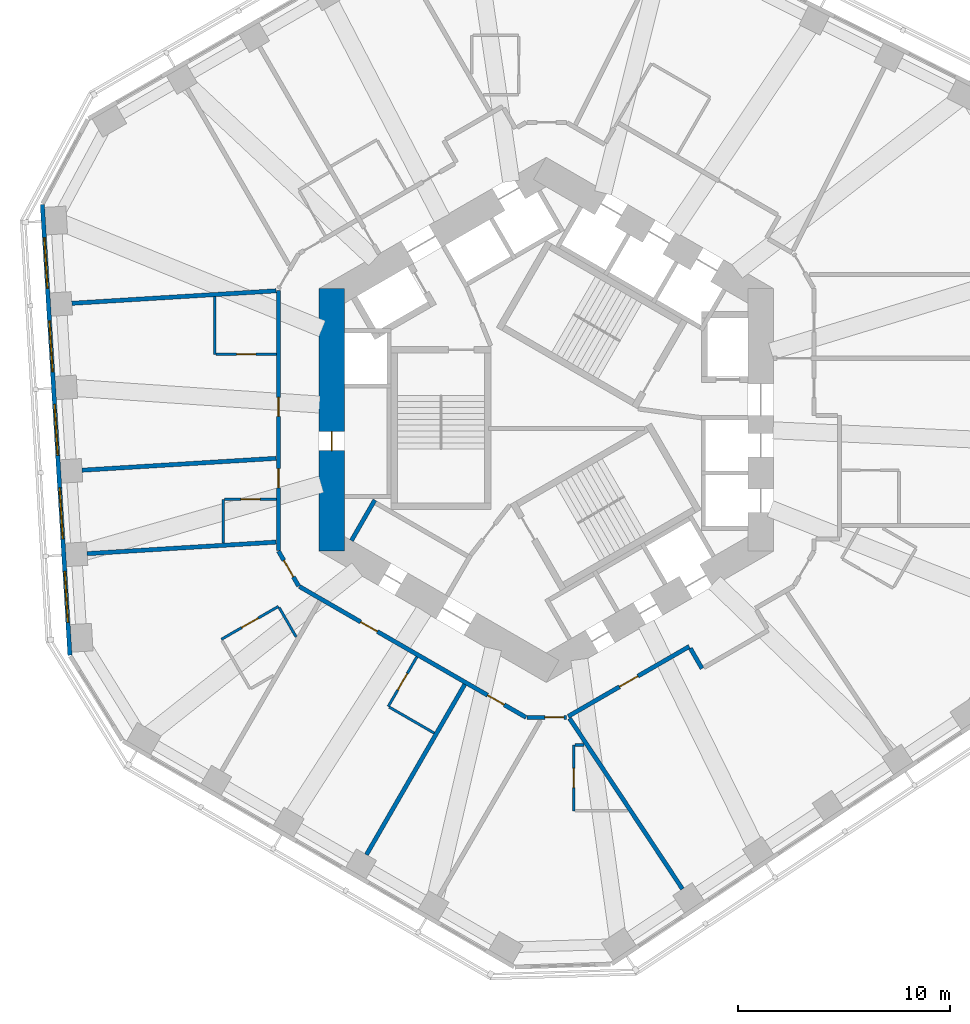
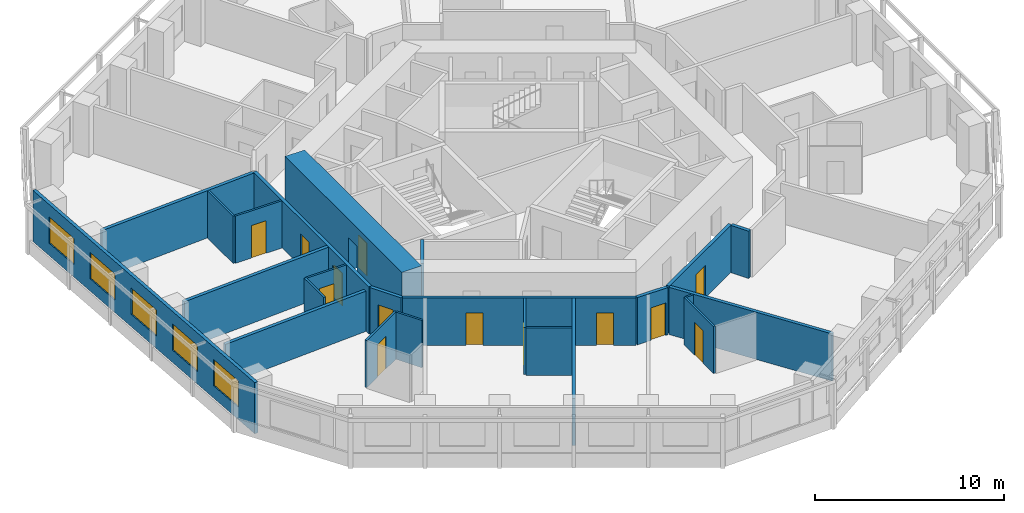
# One storey, part 4 of 11: 24 walls, 13 doors, 5 windows, 18 openings.
"""IFC4 building model written with IfcOpenShell, lengths in metres."""

from ifc_helpers import new_model, si_unit, direction, frame, frame_2d, origin, place, context, subcontext, project, spatial, rectangle, extrude, material, layer, layer_set, type_object, element, fill, save


model = new_model("IFC4")

# Units and contexts
model_context = context("Model", 3, precision=1e-05, world=origin(), true_north=direction((0.0, 1.0)))
body_context = subcontext(model_context, "Body", "Model", "MODEL_VIEW")
ifc_project = project(units=[si_unit("LENGTHUNIT", "METRE"), si_unit("AREAUNIT", "SQUARE_METRE"), si_unit("VOLUMEUNIT", "CUBIC_METRE"), si_unit("PLANEANGLEUNIT", "RADIAN"), si_unit("MASSUNIT", "GRAM", prefix="KILO")], contexts=[model_context])

# Site, building, storey
site_placement = place(None, origin())
site = spatial("IfcSite", under=ifc_project, at=site_placement, CompositionType="ELEMENT")
building_placement = place(site_placement, origin())
building = spatial("IfcBuilding", under=site, at=building_placement, Name="Vanh Sen Convention Tower", CompositionType="ELEMENT")
storey_placement = place(building_placement, frame((0.0, 0.0, 96.800048828125)))
storey = spatial("IfcBuildingStorey", under=building, at=storey_placement, Name="L22", CompositionType="ELEMENT", Elevation=96.800048828125)

# Wall
ifc_material_1 = material(Name="Moisture-resistant gypsum board on steel studs", Category="steel")
ifc_layer_1 = layer(ifc_material_1, 0.1201171875)
ifc_layer_set_1 = layer_set([ifc_layer_1], Name="Moisture-resistant gypsum board on steel studs")
wall_type_1 = type_object("IfcWallType", Name="Bathroom partition 120", PredefinedType="PARTITIONING", material=ifc_layer_set_1)
wall_1_placement = place(storey_placement, frame((-15.60009765625, 3.081298828125, 0.0), z_axis=(0.0, 0.0, 1.0), x_axis=(0.0, 1.0, 0.0)))
element("IfcWall", 1, at=wall_1_placement, inside=storey, type_object=wall_type_1, Name="Bathroom partition 120", PredefinedType="PARTITIONING", context=body_context, shape_type="SweptSolid", body=[
    extrude(rectangle(XDim=2.71630859375, YDim=0.1201171875, at=frame_2d((1.358154296875, 0.0))), origin(), (0.0, 0.0, 1.0), 3.050048828125),
])

# Wall, opening, door
wall_2_placement = place(storey_placement, frame((-15.285400390625, -10.326171875, 0.0), z_axis=(0.0, 0.0, 1.0), x_axis=(0.86600983753, 0.500026960575, 0.0)))
wall_2 = element("IfcWall", 2, at=wall_2_placement, inside=storey, type_object=wall_type_1, Name="Bathroom partition 120", PredefinedType="PARTITIONING", context=body_context, shape_type="SweptSolid", body=[
    extrude(rectangle(XDim=3.099853515625, YDim=0.1201171875, at=frame_2d((1.5498046875, 0.0))), origin(), (0.0, 0.0, 1.0), 3.050048828125),
])
opening_1_placement = place(wall_2_placement, frame((1.10009765625, 0.0, 0.0)))
opening_1 = element("IfcOpeningElement", 3, at=opening_1_placement, cuts=wall_2, Name="Opening D22119", PredefinedType="OPENING", context=body_context, shape_type="SweptSolid", body=[
    extrude(rectangle(XDim=0.89990234375, YDim=2.10009765625, at=frame_2d((0.449951171875, 1.050048828125))), frame((0.0, 0.070068359375, 0.0), z_axis=(0.0, -1.0, 0.0), x_axis=(1.0, 0.0, 0.0)), (0.0, 0.0, 1.0), 0.14013671875),
])
ifc_material_2 = material(Name="Laminate door in steel frame", Category="steel")
door_type_1 = type_object("IfcDoorType", Name="En-suite door 900", OperationType="SINGLE_SWING_LEFT", PredefinedType="DOOR", material=ifc_material_2)
door_1_placement = place(opening_1_placement, origin())
door_1 = element("IfcDoor", 4, at=door_1_placement, inside=storey, type_object=door_type_1, Name="En-suite door D22119", OperationType="SINGLE_SWING_LEFT", OverallHeight=2.10009765625, OverallWidth=0.89990234375, PredefinedType="DOOR", context=body_context, shape_type="SweptSolid", body=[
    extrude(rectangle(XDim=0.89990234375, YDim=2.10009765625, at=frame_2d((0.449951171875, 1.050048828125))), frame((0.0, 0.02490234375, 0.0), z_axis=(0.0, -1.0, 0.0), x_axis=(1.0, 0.0, 0.0)), (0.0, 0.0, 1.0), 0.050048828125),
])
fill(opening_1, door_1)

# Wall
wall_3_placement = place(storey_placement, frame((-15.199951171875, -5.8037109375, 0.0), z_axis=(0.0, 0.0, 1.0), x_axis=(0.0, 1.0, 0.0)))
element("IfcWall", 5, at=wall_3_placement, inside=storey, type_object=wall_type_1, Name="Bathroom partition 120", PredefinedType="PARTITIONING", context=body_context, shape_type="SweptSolid", body=[
    extrude(rectangle(XDim=2.059326171875, YDim=0.1201171875, at=frame_2d((1.02978515625, 0.0))), origin(), (0.0, 0.0, 1.0), 3.050048828125),
])

# Wall, opening, door
wall_4_placement = place(storey_placement, frame((-15.139892578125, -3.744384765625, 0.0), z_axis=(0.0, 0.0, 1.0), x_axis=(1.0, 0.0, 0.0)))
wall_4 = element("IfcWall", 6, at=wall_4_placement, inside=storey, type_object=wall_type_1, Name="Bathroom partition 120", PredefinedType="PARTITIONING", context=body_context, shape_type="SweptSolid", body=[
    extrude(rectangle(XDim=2.43994140625, YDim=0.1201171875, at=frame_2d((1.219970703125, 0.0))), origin(), (0.0, 0.0, 1.0), 3.050048828125),
])
opening_2_placement = place(wall_4_placement, frame((0.77001953125, 0.0, 0.0)))
opening_2 = element("IfcOpeningElement", 7, at=opening_2_placement, cuts=wall_4, Name="Opening D22117", PredefinedType="OPENING", context=body_context, shape_type="SweptSolid", body=[
    extrude(rectangle(XDim=0.89990234375, YDim=2.10009765625, at=frame_2d((0.449951171875, 1.050048828125))), frame((0.0, 0.070068359375, 0.0), z_axis=(0.0, -1.0, 0.0), x_axis=(1.0, 0.0, 0.0)), (0.0, 0.0, 1.0), 0.14013671875),
])
door_2_placement = place(opening_2_placement, origin())
door_2 = element("IfcDoor", 8, at=door_2_placement, inside=storey, type_object=door_type_1, Name="En-suite door D22117", OperationType="SINGLE_SWING_LEFT", OverallHeight=2.10009765625, OverallWidth=0.89990234375, PredefinedType="DOOR", context=body_context, shape_type="SweptSolid", body=[
    extrude(rectangle(XDim=0.89990234375, YDim=2.10009765625, at=frame_2d((0.449951171875, 1.050048828125))), frame((0.0, 0.02490234375, 0.0), z_axis=(0.0, -1.0, 0.0), x_axis=(1.0, 0.0, 0.0)), (0.0, 0.0, 1.0), 0.050048828125),
])
fill(opening_2, door_2)

wall_5_placement = place(storey_placement, frame((-12.699951171875, 3.081298828125, 0.0), z_axis=(0.0, 0.0, 1.0), x_axis=(-1.0, 0.0, 0.0)))
wall_5 = element("IfcWall", 9, at=wall_5_placement, inside=storey, type_object=wall_type_1, Name="Bathroom partition 120", PredefinedType="PARTITIONING", context=body_context, shape_type="SweptSolid", body=[
    extrude(rectangle(XDim=2.840087890625, YDim=0.1201171875, at=frame_2d((1.419921875, 0.0))), origin(), (0.0, 0.0, 1.0), 3.050048828125),
])
opening_3_placement = place(wall_5_placement, frame((0.969970703125, 0.0, 0.0)))
opening_3 = element("IfcOpeningElement", 10, at=opening_3_placement, cuts=wall_5, Name="Opening D22115", PredefinedType="OPENING", context=body_context, shape_type="SweptSolid", body=[
    extrude(rectangle(XDim=0.89990234375, YDim=2.10009765625, at=frame_2d((0.449951171875, 1.050048828125))), frame((0.0, 0.070068359375, 0.0), z_axis=(0.0, -1.0, 0.0), x_axis=(1.0, 0.0, 0.0)), (0.0, 0.0, 1.0), 0.14013671875),
])
door_3_placement = place(opening_3_placement, origin())
door_3 = element("IfcDoor", 11, at=door_3_placement, inside=storey, type_object=door_type_1, Name="En-suite door D22115", OperationType="SINGLE_SWING_LEFT", OverallHeight=2.10009765625, OverallWidth=0.89990234375, PredefinedType="DOOR", context=body_context, shape_type="SweptSolid", body=[
    extrude(rectangle(XDim=0.89990234375, YDim=2.10009765625, at=frame_2d((0.449951171875, 1.050048828125))), frame((0.0, 0.02490234375, 0.0), z_axis=(0.0, -1.0, 0.0), x_axis=(1.0, 0.0, 0.0)), (0.0, 0.0, 1.0), 0.050048828125),
])
fill(opening_3, door_3)

# Wall
wall_6_placement = place(storey_placement, frame((-12.57080078125, -8.828125, 0.0), z_axis=(0.0, 0.0, 1.0), x_axis=(0.499960029081, -0.866048479775, 0.0)))
element("IfcWall", 12, at=wall_6_placement, inside=storey, type_object=wall_type_1, Name="Bathroom partition 120", PredefinedType="PARTITIONING", context=body_context, shape_type="SweptSolid", body=[
    extrude(rectangle(XDim=1.601318359375, YDim=0.1201171875, at=frame_2d((0.80078125, 0.0))), origin(), (0.0, 0.0, 1.0), 3.050048828125),
])

# Wall, opening, door
wall_7_placement = place(storey_placement, frame((-7.436279296875, -13.489013671875, 0.0), z_axis=(0.0, 0.0, 1.0), x_axis=(0.500048589285, 0.86599734893, 0.0)))
wall_7 = element("IfcWall", 13, at=wall_7_placement, inside=storey, type_object=wall_type_1, Name="Bathroom partition 120", PredefinedType="PARTITIONING", context=body_context, shape_type="SweptSolid", body=[
    extrude(rectangle(XDim=2.699951171875, YDim=0.1201171875, at=frame_2d((1.35009765625, 0.0))), origin(), (0.0, 0.0, 1.0), 3.050048828125),
])
opening_4_placement = place(wall_7_placement, frame((0.89990234375, 0.0, 0.0)))
opening_4 = element("IfcOpeningElement", 14, at=opening_4_placement, cuts=wall_7, Name="Opening D22121", PredefinedType="OPENING", context=body_context, shape_type="SweptSolid", body=[
    extrude(rectangle(XDim=0.89990234375, YDim=2.10009765625, at=frame_2d((0.449951171875, 1.050048828125))), frame((0.0, 0.070068359375, 0.0), z_axis=(0.0, -1.0, 0.0), x_axis=(1.0, 0.0, 0.0)), (0.0, 0.0, 1.0), 0.14013671875),
])
door_4_placement = place(opening_4_placement, origin())
door_4 = element("IfcDoor", 15, at=door_4_placement, inside=storey, type_object=door_type_1, Name="En-suite door D22121", OperationType="SINGLE_SWING_LEFT", OverallHeight=2.10009765625, OverallWidth=0.89990234375, PredefinedType="DOOR", context=body_context, shape_type="SweptSolid", body=[
    extrude(rectangle(XDim=0.89990234375, YDim=2.10009765625, at=frame_2d((0.449951171875, 1.050048828125))), frame((0.0, 0.02490234375, 0.0), z_axis=(0.0, -1.0, 0.0), x_axis=(1.0, 0.0, 0.0)), (0.0, 0.0, 1.0), 0.050048828125),
])
fill(opening_4, door_4)

# Wall
wall_8_placement = place(storey_placement, frame((-5.271240234375, -14.739013671875, 0.0), z_axis=(0.0, 0.0, 1.0), x_axis=(-0.866023955769, 0.500002508028, 0.0)))
element("IfcWall", 16, at=wall_8_placement, inside=storey, type_object=wall_type_1, Name="Bathroom partition 120", PredefinedType="PARTITIONING", context=body_context, shape_type="SweptSolid", body=[
    extrude(rectangle(XDim=2.43994140625, YDim=0.1201171875, at=frame_2d((1.219970703125, 0.0))), origin(), (0.0, 0.0, 1.0), 3.050048828125),
])

# Wall, opening, door
wall_9_placement = place(storey_placement, frame((1.300048828125, -18.400634765625, 0.0), z_axis=(0.0, 0.0, 1.0), x_axis=(0.0, 1.0, 0.0)))
wall_9 = element("IfcWall", 17, at=wall_9_placement, inside=storey, type_object=wall_type_1, Name="Bathroom partition 120", PredefinedType="PARTITIONING", context=body_context, shape_type="SweptSolid", body=[
    extrude(rectangle(XDim=3.099853515625, YDim=0.1201171875, at=frame_2d((1.5498046875, 0.0))), origin(), (0.0, 0.0, 1.0), 3.050048828125),
])
opening_5_placement = place(wall_9_placement, frame((1.10009765625, 0.0, 0.0)))
opening_5 = element("IfcOpeningElement", 18, at=opening_5_placement, cuts=wall_9, Name="Opening D22124", PredefinedType="OPENING", context=body_context, shape_type="SweptSolid", body=[
    extrude(rectangle(XDim=0.89990234375, YDim=2.10009765625, at=frame_2d((0.449951171875, 1.050048828125))), frame((0.0, 0.070068359375, 0.0), z_axis=(0.0, -1.0, 0.0), x_axis=(1.0, 0.0, 0.0)), (0.0, 0.0, 1.0), 0.14013671875),
])
door_5_placement = place(opening_5_placement, origin())
door_5 = element("IfcDoor", 19, at=door_5_placement, inside=storey, type_object=door_type_1, Name="En-suite door D22124", OperationType="SINGLE_SWING_LEFT", OverallHeight=2.10009765625, OverallWidth=0.89990234375, PredefinedType="DOOR", context=body_context, shape_type="SweptSolid", body=[
    extrude(rectangle(XDim=0.89990234375, YDim=2.10009765625, at=frame_2d((0.449951171875, 1.050048828125))), frame((0.0, 0.02490234375, 0.0), z_axis=(0.0, -1.0, 0.0), x_axis=(1.0, 0.0, 0.0)), (0.0, 0.0, 1.0), 0.050048828125),
])
fill(opening_5, door_5)

# Wall
wall_10_placement = place(storey_placement, frame((1.360107421875, -15.30078125, 0.0), z_axis=(0.0, 0.0, 1.0), x_axis=(1.0, 0.0, 0.0)))
element("IfcWall", 20, at=wall_10_placement, inside=storey, type_object=wall_type_1, Name="Bathroom partition 120", PredefinedType="PARTITIONING", context=body_context, shape_type="SweptSolid", body=[
    extrude(rectangle(XDim=0.415771484375, YDim=0.1201171875, at=frame_2d((0.2080078125, 0.0))), origin(), (0.0, 0.0, 1.0), 3.050048828125),
])

# Wall, opening, door
ifc_material_3 = material(Name="Concrete C80/95", Category="concrete")
ifc_layer_2 = layer(ifc_material_3, 1.199951171875)
ifc_layer_set_2 = layer_set([ifc_layer_2], Name="Concrete C80/95")
wall_type_2 = type_object("IfcWallType", Name="Core outer wall 1200 C80/95", PredefinedType="SHEAR", material=ifc_layer_set_2)
wall_11_placement = place(storey_placement, frame((-10.10009765625, 6.177490234375, 0.0), z_axis=(0.0, 0.0, 1.0), x_axis=(0.0, -1.0, 0.0)))
wall_11 = element("IfcWall", 21, at=wall_11_placement, inside=storey, type_object=wall_type_2, Name="Core wall face W L22", PredefinedType="SHEAR", context=body_context, shape_type="SweptSolid", body=[
    extrude(rectangle(XDim=12.35498046875, YDim=1.199951171875, at=frame_2d((6.177490234375, 0.0))), origin(), (0.0, 0.0, 1.0), 3.300048828125),
])
opening_6_placement = place(wall_11_placement, frame((6.7275390625, 0.0, 0.0)))
opening_6 = element("IfcOpeningElement", 22, at=opening_6_placement, cuts=wall_11, Name="Opening D22009", PredefinedType="OPENING", context=body_context, shape_type="SweptSolid", body=[
    extrude(rectangle(XDim=0.89990234375, YDim=2.10009765625, at=frame_2d((0.449951171875, 1.050048828125))), frame((0.0, 0.60986328125, 0.0), z_axis=(0.0, -1.0, 0.0), x_axis=(1.0, 0.0, 0.0)), (0.0, 0.0, 1.0), 1.219970703125),
])
ifc_material_4 = material(Name="Steel S355", Category="steel")
door_type_2 = type_object("IfcDoorType", Name="Plant door 900", OperationType="SINGLE_SWING_LEFT", PredefinedType="DOOR", material=ifc_material_4)
door_6_placement = place(opening_6_placement, origin())
door_6 = element("IfcDoor", 23, at=door_6_placement, inside=storey, type_object=door_type_2, Name="Plant door D22009", OperationType="SINGLE_SWING_LEFT", OverallHeight=2.10009765625, OverallWidth=0.89990234375, PredefinedType="DOOR", context=body_context, shape_type="SweptSolid", body=[
    extrude(rectangle(XDim=0.89990234375, YDim=2.10009765625, at=frame_2d((0.449951171875, 1.050048828125))), frame((0.0, 0.02490234375, 0.0), z_axis=(0.0, -1.0, 0.0), x_axis=(1.0, 0.0, 0.0)), (0.0, 0.0, 1.0), 0.050048828125),
])
fill(opening_6, door_6)

ifc_material_5 = material(Name="Gypsum board on steel studs with mineral wool", Category="steel")
ifc_layer_3 = layer(ifc_material_5, 0.199951171875)
ifc_layer_set_3 = layer_set([ifc_layer_3], Name="Gypsum board on steel studs with mineral wool")
wall_type_3 = type_object("IfcWallType", Name="Corridor partition wall 200", PredefinedType="PARTITIONING", material=ifc_layer_set_3)
wall_12_placement = place(storey_placement, frame((-12.60009765625, -6.177490234375, 0.0), z_axis=(0.0, 0.0, 1.0), x_axis=(0.500063520245, -0.865988727248, 0.0)))
wall_12 = element("IfcWall", 24, at=wall_12_placement, inside=storey, type_object=wall_type_3, Name="Corridor partition wall 200", PredefinedType="PARTITIONING", context=body_context, shape_type="SweptSolid", body=[
    extrude(rectangle(XDim=1.900146484375, YDim=0.199951171875, at=frame_2d((0.9501953125, 0.0))), origin(), (0.0, 0.0, 1.0), 3.050048828125),
])
opening_7_placement = place(wall_12_placement, frame((0.5, 0.0, 0.0)))
opening_7 = element("IfcOpeningElement", 25, at=opening_7_placement, cuts=wall_12, Name="Opening D22118", PredefinedType="OPENING", context=body_context, shape_type="SweptSolid", body=[
    extrude(rectangle(XDim=0.89990234375, YDim=2.10009765625, at=frame_2d((0.449951171875, 1.050048828125))), frame((0.0, 0.10986328125, 0.0), z_axis=(0.0, -1.0, 0.0), x_axis=(1.0, 0.0, 0.0)), (0.0, 0.0, 1.0), 0.219970703125),
])
ifc_material_6 = material(Name="Timber fire door in steel frame", Category="steel")
door_type_3 = type_object("IfcDoorType", Name="Guest room door 900", OperationType="SINGLE_SWING_LEFT", PredefinedType="DOOR", material=ifc_material_6)
door_7_placement = place(opening_7_placement, origin())
door_7 = element("IfcDoor", 26, at=door_7_placement, inside=storey, type_object=door_type_3, Name="Hotel guest room door D22118", OperationType="SINGLE_SWING_LEFT", OverallHeight=2.10009765625, OverallWidth=0.89990234375, PredefinedType="DOOR", context=body_context, shape_type="SweptSolid", body=[
    extrude(rectangle(XDim=0.89990234375, YDim=2.10009765625, at=frame_2d((0.449951171875, 1.050048828125))), frame((0.0, 0.02490234375, 0.0), z_axis=(0.0, -1.0, 0.0), x_axis=(1.0, 0.0, 0.0)), (0.0, 0.0, 1.0), 0.050048828125),
])
fill(opening_7, door_7)

# Wall, openings, doors
wall_13_placement = place(storey_placement, frame((-12.60009765625, 6.081298828125, 0.0), z_axis=(0.0, 0.0, 1.0), x_axis=(0.0, -1.0, 0.0)))
wall_13 = element("IfcWall", 27, at=wall_13_placement, inside=storey, type_object=wall_type_3, Name="Corridor partition wall 200", PredefinedType="PARTITIONING", context=body_context, shape_type="SweptSolid", body=[
    extrude(rectangle(XDim=12.218994140625, YDim=0.199951171875, at=frame_2d((6.109375, 0.0))), origin(), (0.0, 0.0, 1.0), 3.050048828125),
])
opening_8_placement = place(wall_13_placement, frame((5.016845703125, 0.0, 0.0)))
opening_8 = element("IfcOpeningElement", 28, at=opening_8_placement, cuts=wall_13, Name="Opening D22114", PredefinedType="OPENING", context=body_context, shape_type="SweptSolid", body=[
    extrude(rectangle(XDim=0.89990234375, YDim=2.10009765625, at=frame_2d((0.449951171875, 1.050048828125))), frame((0.0, 0.10986328125, 0.0), z_axis=(0.0, -1.0, 0.0), x_axis=(1.0, 0.0, 0.0)), (0.0, 0.0, 1.0), 0.219970703125),
])
opening_9_placement = place(wall_13_placement, frame((8.3798828125, 0.0, 0.0)))
opening_9 = element("IfcOpeningElement", 29, at=opening_9_placement, cuts=wall_13, Name="Opening D22116", PredefinedType="OPENING", context=body_context, shape_type="SweptSolid", body=[
    extrude(rectangle(XDim=0.89990234375, YDim=2.10009765625, at=frame_2d((0.449951171875, 1.050048828125))), frame((0.0, 0.10986328125, 0.0), z_axis=(0.0, -1.0, 0.0), x_axis=(1.0, 0.0, 0.0)), (0.0, 0.0, 1.0), 0.219970703125),
])
door_8_placement = place(opening_8_placement, origin())
door_8 = element("IfcDoor", 30, at=door_8_placement, inside=storey, type_object=door_type_3, Name="Hotel guest room door D22114", OperationType="SINGLE_SWING_LEFT", OverallHeight=2.10009765625, OverallWidth=0.89990234375, PredefinedType="DOOR", context=body_context, shape_type="SweptSolid", body=[
    extrude(rectangle(XDim=0.89990234375, YDim=2.10009765625, at=frame_2d((0.449951171875, 1.050048828125))), frame((0.0, 0.02490234375, 0.0), z_axis=(0.0, -1.0, 0.0), x_axis=(1.0, 0.0, 0.0)), (0.0, 0.0, 1.0), 0.050048828125),
])
fill(opening_8, door_8)
door_9_placement = place(opening_9_placement, origin())
door_9 = element("IfcDoor", 31, at=door_9_placement, inside=storey, type_object=door_type_3, Name="Hotel guest room door D22116", OperationType="SINGLE_SWING_LEFT", OverallHeight=2.10009765625, OverallWidth=0.89990234375, PredefinedType="DOOR", context=body_context, shape_type="SweptSolid", body=[
    extrude(rectangle(XDim=0.89990234375, YDim=2.10009765625, at=frame_2d((0.449951171875, 1.050048828125))), frame((0.0, 0.02490234375, 0.0), z_axis=(0.0, -1.0, 0.0), x_axis=(1.0, 0.0, 0.0)), (0.0, 0.0, 1.0), 0.050048828125),
])
fill(opening_9, door_9)

wall_14_placement = place(storey_placement, frame((-11.615478515625, -7.843017578125, 0.0), z_axis=(0.0, 0.0, 1.0), x_axis=(0.866026466995, -0.499998158461, 0.0)))
wall_14 = element("IfcWall", 32, at=wall_14_placement, inside=storey, type_object=wall_type_3, Name="Corridor partition wall 200", PredefinedType="PARTITIONING", context=body_context, shape_type="SweptSolid", body=[
    extrude(rectangle(XDim=12.3154296875, YDim=0.199951171875, at=frame_2d((6.15771484375, 0.0))), origin(), (0.0, 0.0, 1.0), 3.050048828125),
])
opening_10_placement = place(wall_14_placement, frame((3.332763671875, 0.0, 0.0)))
opening_10 = element("IfcOpeningElement", 33, at=opening_10_placement, cuts=wall_14, Name="Opening D22120", PredefinedType="OPENING", context=body_context, shape_type="SweptSolid", body=[
    extrude(rectangle(XDim=0.89990234375, YDim=2.10009765625, at=frame_2d((0.449951171875, 1.050048828125))), frame((0.0, 0.10986328125, 0.0), z_axis=(0.0, -1.0, 0.0), x_axis=(1.0, 0.0, 0.0)), (0.0, 0.0, 1.0), 0.219970703125),
])
opening_11_placement = place(wall_14_placement, frame((10.228759765625, 0.0, 0.0)))
opening_11 = element("IfcOpeningElement", 34, at=opening_11_placement, cuts=wall_14, Name="Opening D22122", PredefinedType="OPENING", context=body_context, shape_type="SweptSolid", body=[
    extrude(rectangle(XDim=0.89990234375, YDim=2.10009765625, at=frame_2d((0.449951171875, 1.050048828125))), frame((0.0, 0.10986328125, 0.0), z_axis=(0.0, -1.0, 0.0), x_axis=(1.0, 0.0, 0.0)), (0.0, 0.0, 1.0), 0.219970703125),
])
door_type_4 = type_object("IfcDoorType", Name="Floor service door 900", OperationType="SINGLE_SWING_LEFT", PredefinedType="DOOR", material=ifc_material_6)
door_10_placement = place(opening_11_placement, origin())
door_10 = element("IfcDoor", 35, at=door_10_placement, inside=storey, type_object=door_type_4, Name="Service room door D22122", OperationType="SINGLE_SWING_LEFT", OverallHeight=2.10009765625, OverallWidth=0.89990234375, PredefinedType="DOOR", context=body_context, shape_type="SweptSolid", body=[
    extrude(rectangle(XDim=0.89990234375, YDim=2.10009765625, at=frame_2d((0.449951171875, 1.050048828125))), frame((0.0, 0.02490234375, 0.0), z_axis=(0.0, -1.0, 0.0), x_axis=(1.0, 0.0, 0.0)), (0.0, 0.0, 1.0), 0.050048828125),
])
fill(opening_11, door_10)
door_11_placement = place(opening_10_placement, origin())
door_11 = element("IfcDoor", 36, at=door_11_placement, inside=storey, type_object=door_type_3, Name="Hotel guest room door D22120", OperationType="SINGLE_SWING_LEFT", OverallHeight=2.10009765625, OverallWidth=0.89990234375, PredefinedType="DOOR", context=body_context, shape_type="SweptSolid", body=[
    extrude(rectangle(XDim=0.89990234375, YDim=2.10009765625, at=frame_2d((0.449951171875, 1.050048828125))), frame((0.0, 0.02490234375, 0.0), z_axis=(0.0, -1.0, 0.0), x_axis=(1.0, 0.0, 0.0)), (0.0, 0.0, 1.0), 0.050048828125),
])
fill(opening_10, door_11)

# Wall, opening, door
wall_15_placement = place(storey_placement, frame((-0.909912109375, -14.000732421875, 0.0), z_axis=(0.0, 0.0, 1.0), x_axis=(1.0, 0.0, 0.0)))
wall_15 = element("IfcWall", 37, at=wall_15_placement, inside=storey, type_object=wall_type_3, Name="Corridor partition wall 200", PredefinedType="PARTITIONING", context=body_context, shape_type="SweptSolid", body=[
    extrude(rectangle(XDim=1.85986328125, YDim=0.199951171875, at=frame_2d((0.929931640625, 0.0))), origin(), (0.0, 0.0, 1.0), 3.050048828125),
])
opening_12_placement = place(wall_15_placement, frame((0.841796875, 0.0, 0.0)))
opening_12 = element("IfcOpeningElement", 38, at=opening_12_placement, cuts=wall_15, Name="Opening D22123", PredefinedType="OPENING", context=body_context, shape_type="SweptSolid", body=[
    extrude(rectangle(XDim=0.89990234375, YDim=2.10009765625, at=frame_2d((0.449951171875, 1.050048828125))), frame((0.0, 0.10986328125, 0.0), z_axis=(0.0, -1.0, 0.0), x_axis=(1.0, 0.0, 0.0)), (0.0, 0.0, 1.0), 0.219970703125),
])
door_12_placement = place(opening_12_placement, origin())
door_12 = element("IfcDoor", 39, at=door_12_placement, inside=storey, type_object=door_type_3, Name="Hotel guest room door D22123", OperationType="SINGLE_SWING_LEFT", OverallHeight=2.10009765625, OverallWidth=0.89990234375, PredefinedType="DOOR", context=body_context, shape_type="SweptSolid", body=[
    extrude(rectangle(XDim=0.89990234375, YDim=2.10009765625, at=frame_2d((0.449951171875, 1.050048828125))), frame((0.0, 0.02490234375, 0.0), z_axis=(0.0, -1.0, 0.0), x_axis=(1.0, 0.0, 0.0)), (0.0, 0.0, 1.0), 0.050048828125),
])
fill(opening_12, door_12)

wall_16_placement = place(storey_placement, frame((1.033447265625, -13.95263671875, 0.0), z_axis=(0.0, 0.0, 1.0), x_axis=(0.866017531406, 0.500013635111, 0.0)))
wall_16 = element("IfcWall", 40, at=wall_16_placement, inside=storey, type_object=wall_type_3, Name="Corridor partition wall 200", PredefinedType="PARTITIONING", context=body_context, shape_type="SweptSolid", body=[
    extrude(rectangle(XDim=6.580322265625, YDim=0.199951171875, at=frame_2d((3.2900390625, 0.0))), origin(), (0.0, 0.0, 1.0), 3.050048828125),
])
opening_13_placement = place(wall_16_placement, frame((2.7900390625, 0.0, 0.0)))
opening_13 = element("IfcOpeningElement", 41, at=opening_13_placement, cuts=wall_16, Name="Opening D22125", PredefinedType="OPENING", context=body_context, shape_type="SweptSolid", body=[
    extrude(rectangle(XDim=1.0, YDim=2.10009765625, at=frame_2d((0.5, 1.050048828125))), frame((0.0, 0.10986328125, 0.0), z_axis=(0.0, -1.0, 0.0), x_axis=(1.0, 0.0, 0.0)), (0.0, 0.0, 1.0), 0.219970703125),
])
door_type_5 = type_object("IfcDoorType", Name="Floor room door 1000", OperationType="SINGLE_SWING_LEFT", PredefinedType="DOOR", material=ifc_material_6)
door_13_placement = place(opening_13_placement, origin())
door_13 = element("IfcDoor", 42, at=door_13_placement, inside=storey, type_object=door_type_5, Name="Meeting and amenity room door D22125", OperationType="SINGLE_SWING_LEFT", OverallHeight=2.10009765625, OverallWidth=1.0, PredefinedType="DOOR", context=body_context, shape_type="SweptSolid", body=[
    extrude(rectangle(XDim=1.0, YDim=2.10009765625, at=frame_2d((0.5, 1.050048828125))), frame((0.0, 0.02490234375, 0.0), z_axis=(0.0, -1.0, 0.0), x_axis=(1.0, 0.0, 0.0)), (0.0, 0.0, 1.0), 0.050048828125),
])
fill(opening_13, door_13)

# Wall
wall_17_placement = place(storey_placement, frame((6.781982421875, -10.7490234375, 0.0), z_axis=(0.0, 0.0, 1.0), x_axis=(0.500074377092, -0.865982457891, 0.0)))
element("IfcWall", 43, at=wall_17_placement, inside=storey, type_object=wall_type_3, Name="Corridor partition wall 200", PredefinedType="PARTITIONING", context=body_context, shape_type="SweptSolid", body=[
    extrude(rectangle(XDim=1.100830078125, YDim=0.199951171875, at=frame_2d((0.55029296875, 0.0))), origin(), (0.0, 0.0, 1.0), 3.050048828125),
])

# Wall, openings, windows
ifc_material_7 = material(Name="Insulated lightweight infill wall")
ifc_layer_4 = layer(ifc_material_7, 0.199951171875)
ifc_layer_set_4 = layer_set([ifc_layer_4], Name="Insulated lightweight infill wall")
wall_type_4 = type_object("IfcWallType", Name="External wall 200", PredefinedType="STANDARD", material=ifc_layer_set_4)
wall_18_placement = place(storey_placement, frame((-23.712646484375, 10.130859375, 0.0), z_axis=(0.0, 0.0, 1.0), x_axis=(0.061040439785, -0.998135293791, 0.0)))
wall_18 = element("IfcWall", 44, at=wall_18_placement, inside=storey, type_object=wall_type_4, Name="External wall W L22", PredefinedType="STANDARD", context=body_context, shape_type="SweptSolid", body=[
    extrude(rectangle(XDim=21.24609375, YDim=0.199951171875, at=frame_2d((10.623046875, 0.0))), origin(), (0.0, 0.0, 1.0), 3.300048828125),
])
opening_14_placement = place(wall_18_placement, frame((1.552978515625, 0.0, 0.800048828125)))
opening_14 = element("IfcOpeningElement", 45, at=opening_14_placement, cuts=wall_18, Name="Opening WH1-W1", PredefinedType="OPENING", context=body_context, shape_type="SweptSolid", body=[
    extrude(rectangle(XDim=2.39990234375, YDim=1.699951171875, at=frame_2d((1.199951171875, 0.85009765625))), frame((0.0, 0.10986328125, 0.0), z_axis=(0.0, -1.0, 0.0), x_axis=(1.0, 0.0, 0.0)), (0.0, 0.0, 1.0), 0.219970703125),
])
opening_15_placement = place(wall_18_placement, frame((5.48779296875, 0.0, 0.800048828125)))
opening_15 = element("IfcOpeningElement", 46, at=opening_15_placement, cuts=wall_18, Name="Opening WH1-W2", PredefinedType="OPENING", context=body_context, shape_type="SweptSolid", body=[
    extrude(rectangle(XDim=2.39990234375, YDim=1.699951171875, at=frame_2d((1.199951171875, 0.85009765625))), frame((0.0, 0.10986328125, 0.0), z_axis=(0.0, -1.0, 0.0), x_axis=(1.0, 0.0, 0.0)), (0.0, 0.0, 1.0), 0.219970703125),
])
opening_16_placement = place(wall_18_placement, frame((9.42236328125, 0.0, 0.800048828125)))
opening_16 = element("IfcOpeningElement", 47, at=opening_16_placement, cuts=wall_18, Name="Opening WH1-W3", PredefinedType="OPENING", context=body_context, shape_type="SweptSolid", body=[
    extrude(rectangle(XDim=2.39990234375, YDim=1.699951171875, at=frame_2d((1.199951171875, 0.85009765625))), frame((0.0, 0.10986328125, 0.0), z_axis=(0.0, -1.0, 0.0), x_axis=(1.0, 0.0, 0.0)), (0.0, 0.0, 1.0), 0.219970703125),
])
opening_17_placement = place(wall_18_placement, frame((13.35693359375, 0.0, 0.800048828125)))
opening_17 = element("IfcOpeningElement", 48, at=opening_17_placement, cuts=wall_18, Name="Opening WH1-W4", PredefinedType="OPENING", context=body_context, shape_type="SweptSolid", body=[
    extrude(rectangle(XDim=2.39990234375, YDim=1.699951171875, at=frame_2d((1.199951171875, 0.85009765625))), frame((0.0, 0.10986328125, 0.0), z_axis=(0.0, -1.0, 0.0), x_axis=(1.0, 0.0, 0.0)), (0.0, 0.0, 1.0), 0.219970703125),
])
opening_18_placement = place(wall_18_placement, frame((17.29150390625, 0.0, 0.800048828125)))
opening_18 = element("IfcOpeningElement", 49, at=opening_18_placement, cuts=wall_18, Name="Opening WH1-W5", PredefinedType="OPENING", context=body_context, shape_type="SweptSolid", body=[
    extrude(rectangle(XDim=2.39990234375, YDim=1.699951171875, at=frame_2d((1.199951171875, 0.85009765625))), frame((0.0, 0.10986328125, 0.0), z_axis=(0.0, -1.0, 0.0), x_axis=(1.0, 0.0, 0.0)), (0.0, 0.0, 1.0), 0.219970703125),
])
ifc_material_8 = material(Name="Aluminium frame with clear low-emissivity glass", Category="aluminium")
window_type = type_object("IfcWindowType", Name="Hotel window 2400 x 1700", PartitioningType="SINGLE_PANEL", PredefinedType="WINDOW", material=ifc_material_8)
window_1_placement = place(opening_14_placement, origin())
window_1 = element("IfcWindow", 50, at=window_1_placement, inside=storey, type_object=window_type, Name="Window WH1-W1", OverallHeight=1.699951171875, OverallWidth=2.39990234375, PartitioningType="SINGLE_PANEL", PredefinedType="WINDOW", context=body_context, shape_type="SweptSolid", body=[
    extrude(rectangle(XDim=2.39990234375, YDim=1.699951171875, at=frame_2d((1.199951171875, 0.85009765625))), frame((0.0, 0.030029296875, 0.0), z_axis=(0.0, -1.0, 0.0), x_axis=(1.0, 0.0, 0.0)), (0.0, 0.0, 1.0), 0.06005859375),
])
fill(opening_14, window_1)
window_2_placement = place(opening_15_placement, origin())
window_2 = element("IfcWindow", 51, at=window_2_placement, inside=storey, type_object=window_type, Name="Window WH1-W2", OverallHeight=1.699951171875, OverallWidth=2.39990234375, PartitioningType="SINGLE_PANEL", PredefinedType="WINDOW", context=body_context, shape_type="SweptSolid", body=[
    extrude(rectangle(XDim=2.39990234375, YDim=1.699951171875, at=frame_2d((1.199951171875, 0.85009765625))), frame((0.0, 0.030029296875, 0.0), z_axis=(0.0, -1.0, 0.0), x_axis=(1.0, 0.0, 0.0)), (0.0, 0.0, 1.0), 0.06005859375),
])
fill(opening_15, window_2)
window_3_placement = place(opening_16_placement, origin())
window_3 = element("IfcWindow", 52, at=window_3_placement, inside=storey, type_object=window_type, Name="Window WH1-W3", OverallHeight=1.699951171875, OverallWidth=2.39990234375, PartitioningType="SINGLE_PANEL", PredefinedType="WINDOW", context=body_context, shape_type="SweptSolid", body=[
    extrude(rectangle(XDim=2.39990234375, YDim=1.699951171875, at=frame_2d((1.199951171875, 0.85009765625))), frame((0.0, 0.030029296875, 0.0), z_axis=(0.0, -1.0, 0.0), x_axis=(1.0, 0.0, 0.0)), (0.0, 0.0, 1.0), 0.06005859375),
])
fill(opening_16, window_3)
window_4_placement = place(opening_17_placement, origin())
window_4 = element("IfcWindow", 53, at=window_4_placement, inside=storey, type_object=window_type, Name="Window WH1-W4", OverallHeight=1.699951171875, OverallWidth=2.39990234375, PartitioningType="SINGLE_PANEL", PredefinedType="WINDOW", context=body_context, shape_type="SweptSolid", body=[
    extrude(rectangle(XDim=2.39990234375, YDim=1.699951171875, at=frame_2d((1.199951171875, 0.85009765625))), frame((0.0, 0.030029296875, 0.0), z_axis=(0.0, -1.0, 0.0), x_axis=(1.0, 0.0, 0.0)), (0.0, 0.0, 1.0), 0.06005859375),
])
fill(opening_17, window_4)
window_5_placement = place(opening_18_placement, origin())
window_5 = element("IfcWindow", 54, at=window_5_placement, inside=storey, type_object=window_type, Name="Window WH1-W5", OverallHeight=1.699951171875, OverallWidth=2.39990234375, PartitioningType="SINGLE_PANEL", PredefinedType="WINDOW", context=body_context, shape_type="SweptSolid", body=[
    extrude(rectangle(XDim=2.39990234375, YDim=1.699951171875, at=frame_2d((1.199951171875, 0.85009765625))), frame((0.0, 0.030029296875, 0.0), z_axis=(0.0, -1.0, 0.0), x_axis=(1.0, 0.0, 0.0)), (0.0, 0.0, 1.0), 0.06005859375),
])
fill(opening_18, window_5)

# Walls
ifc_layer_5 = layer(ifc_material_5, 0.199951171875)
ifc_layer_set_5 = layer_set([ifc_layer_5], Name="Gypsum board on steel studs with mineral wool")
wall_type_5 = type_object("IfcWallType", Name="Hotel party wall 200", PredefinedType="PARTITIONING", material=ifc_layer_set_5)
wall_19_placement = place(storey_placement, frame((-22.32666015625, 5.486328125, 0.0), z_axis=(0.0, 0.0, 1.0), x_axis=(0.998135194863, 0.061042057435, 0.0)))
element("IfcWall", 55, at=wall_19_placement, inside=storey, type_object=wall_type_5, Name="Hotel party wall 200", PredefinedType="PARTITIONING", context=body_context, shape_type="SweptSolid", body=[
    extrude(rectangle(XDim=9.635009765625, YDim=0.199951171875, at=frame_2d((4.8173828125, 0.0))), origin(), (0.0, 0.0, 1.0), 3.050048828125),
])
wall_20_placement = place(storey_placement, frame((-21.84619140625, -2.3681640625, 0.0), z_axis=(0.0, 0.0, 1.0), x_axis=(0.998134617584, 0.061051496129, 0.0)))
element("IfcWall", 56, at=wall_20_placement, inside=storey, type_object=wall_type_5, Name="Hotel party wall 200", PredefinedType="PARTITIONING", context=body_context, shape_type="SweptSolid", body=[
    extrude(rectangle(XDim=9.153564453125, YDim=0.199951171875, at=frame_2d((4.57666015625, 0.0))), origin(), (0.0, 0.0, 1.0), 3.050048828125),
])
wall_21_placement = place(storey_placement, frame((-21.60595703125, -6.29541015625, 0.0), z_axis=(0.0, 0.0, 1.0), x_axis=(0.998134305525, 0.061056597794, 0.0)))
element("IfcWall", 57, at=wall_21_placement, inside=storey, type_object=wall_type_5, Name="Hotel party wall 200", PredefinedType="PARTITIONING", context=body_context, shape_type="SweptSolid", body=[
    extrude(rectangle(XDim=8.912841796875, YDim=0.199951171875, at=frame_2d((4.45654296875, 0.0))), origin(), (0.0, 0.0, 1.0), 2.599853515625),
])
wall_22_placement = place(storey_placement, frame((-8.459716796875, -20.46142578125, 0.0), z_axis=(0.0, 0.0, 1.0), x_axis=(0.499999662836, 0.866025598446, 0.0)))
element("IfcWall", 58, at=wall_22_placement, inside=storey, type_object=wall_type_5, Name="Hotel party wall 200", PredefinedType="PARTITIONING", context=body_context, shape_type="SweptSolid", body=[
    extrude(rectangle(XDim=9.25, YDim=0.199951171875, at=frame_2d((4.625, 0.0))), origin(), (0.0, 0.0, 1.0), 3.050048828125),
])
wall_23_placement = place(storey_placement, frame((6.411865234375, -22.07861328125, 0.0), z_axis=(0.0, 0.0, 1.0), x_axis=(-0.551919507115, 0.83389739037, 0.0)))
element("IfcWall", 59, at=wall_23_placement, inside=storey, type_object=wall_type_5, Name="Hotel party wall 200", PredefinedType="PARTITIONING", context=body_context, shape_type="SweptSolid", body=[
    extrude(rectangle(XDim=9.634765625, YDim=0.199951171875, at=frame_2d((4.8173828125, 0.0))), origin(), (0.0, 0.0, 1.0), 3.050048828125),
])
ifc_material_9 = material(Name="Concrete C40/50", Category="concrete")
ifc_layer_6 = layer(ifc_material_9, 0.199951171875)
ifc_layer_set_6 = layer_set([ifc_layer_6], Name="Concrete C40/50")
wall_type_6 = type_object("IfcWallType", Name="Lift shaft wall 200", PredefinedType="PARTITIONING", material=ifc_layer_set_6)
wall_24_placement = place(storey_placement, frame((-8.066650390625, -3.77197265625, 0.0), z_axis=(0.0, 0.0, 1.0), x_axis=(-0.50002983664, -0.866008176907, 0.0)))
element("IfcWall", 60, at=wall_24_placement, inside=storey, type_object=wall_type_6, Name="Lift shaft wall L22", PredefinedType="PARTITIONING", context=body_context, shape_type="SweptSolid", body=[
    extrude(rectangle(XDim=2.199951171875, YDim=0.199951171875, at=frame_2d((1.10009765625, 0.0))), origin(), (0.0, 0.0, 1.0), 3.050048828125),
])

save(model, "model.ifc")
